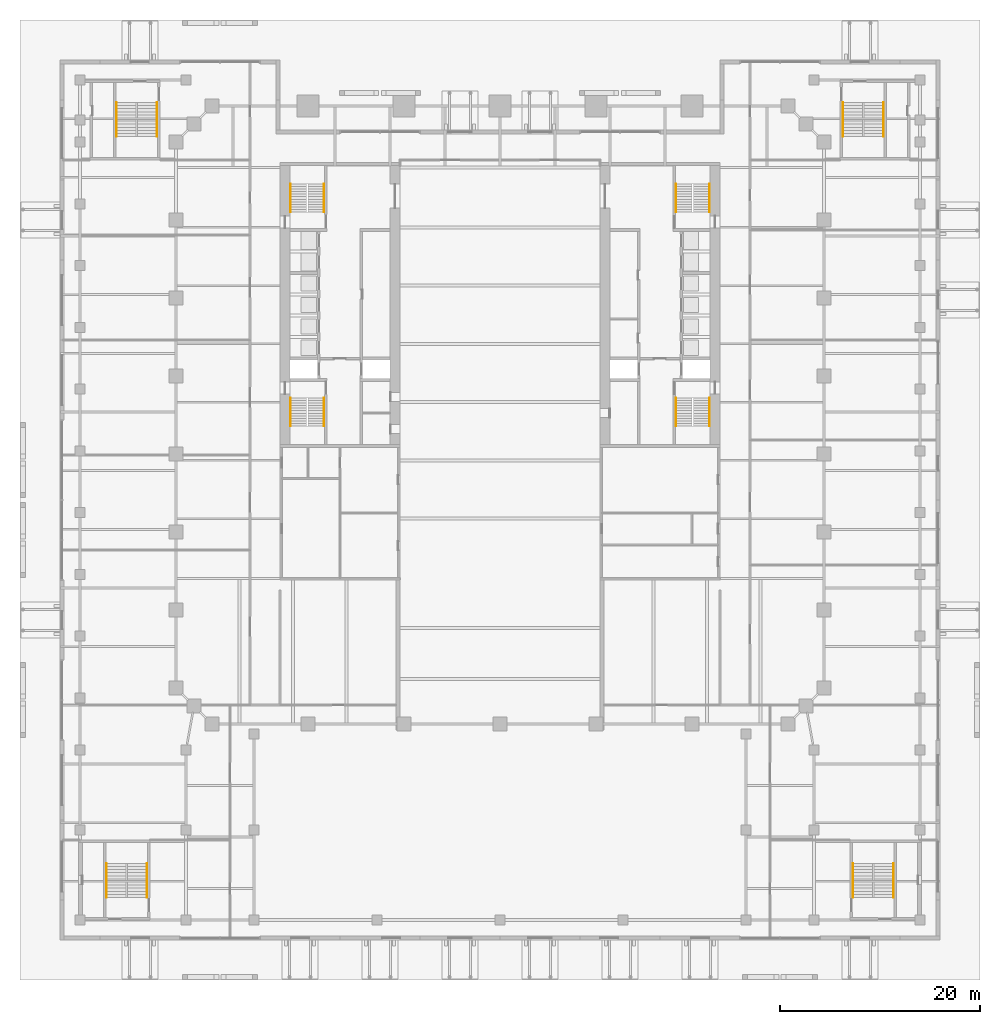
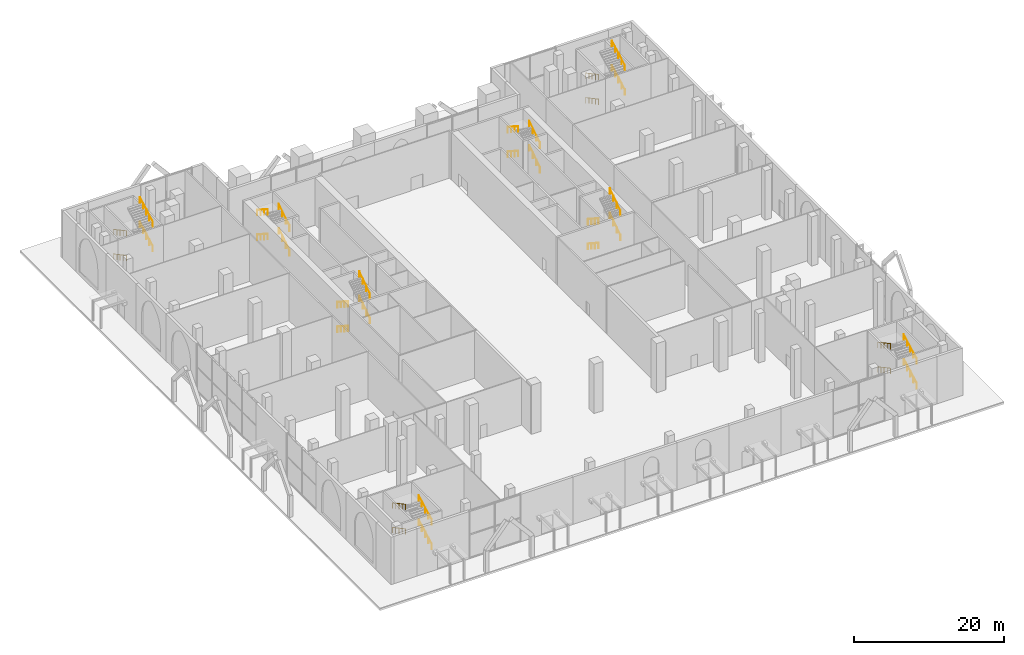
# One storey, part 37 of 38: 32 railings.
"""IFC4 building model written with IfcOpenShell, lengths in metres."""

from ifc_helpers import new_model, si_unit, direction, frame, origin, origin_2d, place, context, subcontext, project, spatial, circle, extrude, material, type_object, element, save


model = new_model("IFC4")

# Units and contexts
model_context = context("Model", 3, precision=1e-05, world=origin(), true_north=direction((0.0, 1.0)))
body_context = subcontext(model_context, "Body", "Model", "MODEL_VIEW")
ifc_project = project(units=[si_unit("LENGTHUNIT", "METRE"), si_unit("AREAUNIT", "SQUARE_METRE"), si_unit("VOLUMEUNIT", "CUBIC_METRE"), si_unit("PLANEANGLEUNIT", "RADIAN"), si_unit("MASSUNIT", "GRAM", prefix="KILO")], contexts=[model_context])

# Site, building, storey
site_placement = place(None, origin())
site = spatial("IfcSite", under=ifc_project, at=site_placement, CompositionType="ELEMENT")
building_placement = place(site_placement, origin())
building = spatial("IfcBuilding", under=site, at=building_placement, Name="Ogive Exchange Tower", CompositionType="ELEMENT")
storey_placement = place(building_placement, origin())
storey = spatial("IfcBuildingStorey", under=building, at=storey_placement, Name="L00", CompositionType="ELEMENT", Elevation=0.0)

# Railings
ifc_material = material(Name="Stainless steel", Category="steel")
railing_type = type_object("IfcRailingType", Name="Stair handrail 900", PredefinedType="HANDRAIL", material=ifc_material)
railing_1_placement = place(storey_placement, frame((-20.949951171875, 2.199951171875, 0.166748046875)))
element("IfcRailing", 1, at=railing_1_placement, inside=storey, type_object=railing_type, Name="L00 ST1 stair handrail 1", PredefinedType="HANDRAIL", context=body_context, shape_type="SweptSolid", body=[
    extrude(circle(Radius=0.02392578125, at=origin_2d()), frame((0.0, 0.0, 0.8759765625), z_axis=(0.0, -0.837070997461, 0.547094274518), x_axis=(1.0, 0.0, 0.0)), (0.0, 0.0, 1.0), 3.350830078125),
    extrude(circle(Radius=0.02099609375, at=origin_2d()), origin(), (0.0, 0.0, 1.0), 0.851806640625),
    extrude(circle(Radius=0.02099609375, at=origin_2d()), frame((0.0, -0.93505859375, 0.611083984375)), (0.0, 0.0, 1.0), 0.851806640625),
    extrude(circle(Radius=0.02099609375, at=origin_2d()), frame((0.0, -1.869873046875, 1.22216796875)), (0.0, 0.0, 1.0), 0.851806640625),
    extrude(circle(Radius=0.02099609375, at=origin_2d()), frame((0.0, -2.804931640625, 1.833251953125)), (0.0, 0.0, 1.0), 0.851806640625),
])
railing_2_placement = place(storey_placement, frame((-17.60009765625, -0.60498046875, 2.166748046875)))
element("IfcRailing", 2, at=railing_2_placement, inside=storey, type_object=railing_type, Name="L00 ST1 stair handrail 2", PredefinedType="HANDRAIL", context=body_context, shape_type="SweptSolid", body=[
    extrude(circle(Radius=0.02392578125, at=origin_2d()), frame((0.0, 0.0, 0.8759765625), z_axis=(0.0, 0.837070997461, 0.547094274518), x_axis=(-1.0, 0.0, 0.0)), (0.0, 0.0, 1.0), 3.350830078125),
    extrude(circle(Radius=0.02099609375, at=origin_2d()), origin(), (0.0, 0.0, 1.0), 0.851806640625),
    extrude(circle(Radius=0.02099609375, at=origin_2d()), frame((0.0, 0.93505859375, 0.611083984375)), (0.0, 0.0, 1.0), 0.851806640625),
    extrude(circle(Radius=0.02099609375, at=origin_2d()), frame((0.0, 1.869873046875, 1.22216796875)), (0.0, 0.0, 1.0), 0.851806640625),
    extrude(circle(Radius=0.02099609375, at=origin_2d()), frame((0.0, 2.804931640625, 1.833251953125)), (0.0, 0.0, 1.0), 0.851806640625),
])
railing_3_placement = place(storey_placement, frame((-20.949951171875, 2.199951171875, 4.166748046875)))
element("IfcRailing", 3, at=railing_3_placement, inside=storey, type_object=railing_type, Name="L00 ST1 stair handrail 3", PredefinedType="HANDRAIL", context=body_context, shape_type="SweptSolid", body=[
    extrude(circle(Radius=0.02392578125, at=origin_2d()), frame((0.0, 0.0, 0.8759765625), z_axis=(0.0, -0.837070997461, 0.547094274518), x_axis=(1.0, 0.0, 0.0)), (0.0, 0.0, 1.0), 3.350830078125),
    extrude(circle(Radius=0.02099609375, at=origin_2d()), origin(), (0.0, 0.0, 1.0), 0.851806640625),
    extrude(circle(Radius=0.02099609375, at=origin_2d()), frame((0.0, -0.93505859375, 0.611083984375)), (0.0, 0.0, 1.0), 0.851806640625),
    extrude(circle(Radius=0.02099609375, at=origin_2d()), frame((0.0, -1.869873046875, 1.22216796875)), (0.0, 0.0, 1.0), 0.851806640625),
    extrude(circle(Radius=0.02099609375, at=origin_2d()), frame((0.0, -2.804931640625, 1.833251953125)), (0.0, 0.0, 1.0), 0.851806640625),
])
for number, where, name in (
    (4, (-17.60009765625, -0.60498046875, 6.166748046875), "L00 ST1 stair handrail 4"),
    (5, (-17.60009765625, 20.800048828125, 0.166748046875), "L00 ST2 stair handrail 1"),
):
    element("IfcRailing", number, at=place(storey_placement, frame(where)), inside=storey, type_object=railing_type, Name=name, PredefinedType="HANDRAIL", context=body_context, shape_type="SweptSolid", body=[
        extrude(circle(Radius=0.02392578125, at=origin_2d()), frame((0.0, 0.0, 0.8759765625), z_axis=(0.0, 0.837070997461, 0.547094274518), x_axis=(-1.0, 0.0, 0.0)), (0.0, 0.0, 1.0), 3.350830078125),
        extrude(circle(Radius=0.02099609375, at=origin_2d()), origin(), (0.0, 0.0, 1.0), 0.851806640625),
        extrude(circle(Radius=0.02099609375, at=origin_2d()), frame((0.0, 0.93505859375, 0.611083984375)), (0.0, 0.0, 1.0), 0.851806640625),
        extrude(circle(Radius=0.02099609375, at=origin_2d()), frame((0.0, 1.869873046875, 1.22216796875)), (0.0, 0.0, 1.0), 0.851806640625),
        extrude(circle(Radius=0.02099609375, at=origin_2d()), frame((0.0, 2.804931640625, 1.833251953125)), (0.0, 0.0, 1.0), 0.851806640625),
    ])
railing_4_placement = place(storey_placement, frame((-20.949951171875, 23.60498046875, 2.166748046875)))
element("IfcRailing", 6, at=railing_4_placement, inside=storey, type_object=railing_type, Name="L00 ST2 stair handrail 2", PredefinedType="HANDRAIL", context=body_context, shape_type="SweptSolid", body=[
    extrude(circle(Radius=0.02392578125, at=origin_2d()), frame((0.0, 0.0, 0.8759765625), z_axis=(0.0, -0.837070997461, 0.547094274518), x_axis=(1.0, 0.0, 0.0)), (0.0, 0.0, 1.0), 3.350830078125),
    extrude(circle(Radius=0.02099609375, at=origin_2d()), origin(), (0.0, 0.0, 1.0), 0.851806640625),
    extrude(circle(Radius=0.02099609375, at=origin_2d()), frame((0.0, -0.93505859375, 0.611083984375)), (0.0, 0.0, 1.0), 0.851806640625),
    extrude(circle(Radius=0.02099609375, at=origin_2d()), frame((0.0, -1.869873046875, 1.22216796875)), (0.0, 0.0, 1.0), 0.851806640625),
    extrude(circle(Radius=0.02099609375, at=origin_2d()), frame((0.0, -2.804931640625, 1.833251953125)), (0.0, 0.0, 1.0), 0.851806640625),
])
railing_5_placement = place(storey_placement, frame((-17.60009765625, 20.800048828125, 4.166748046875)))
element("IfcRailing", 7, at=railing_5_placement, inside=storey, type_object=railing_type, Name="L00 ST2 stair handrail 3", PredefinedType="HANDRAIL", context=body_context, shape_type="SweptSolid", body=[
    extrude(circle(Radius=0.02392578125, at=origin_2d()), frame((0.0, 0.0, 0.8759765625), z_axis=(0.0, 0.837070997461, 0.547094274518), x_axis=(-1.0, 0.0, 0.0)), (0.0, 0.0, 1.0), 3.350830078125),
    extrude(circle(Radius=0.02099609375, at=origin_2d()), origin(), (0.0, 0.0, 1.0), 0.851806640625),
    extrude(circle(Radius=0.02099609375, at=origin_2d()), frame((0.0, 0.93505859375, 0.611083984375)), (0.0, 0.0, 1.0), 0.851806640625),
    extrude(circle(Radius=0.02099609375, at=origin_2d()), frame((0.0, 1.869873046875, 1.22216796875)), (0.0, 0.0, 1.0), 0.851806640625),
    extrude(circle(Radius=0.02099609375, at=origin_2d()), frame((0.0, 2.804931640625, 1.833251953125)), (0.0, 0.0, 1.0), 0.851806640625),
])
for number, where, name in (
    (8, (-20.949951171875, 23.60498046875, 6.166748046875), "L00 ST2 stair handrail 4"),
    (9, (17.60009765625, 2.199951171875, 0.166748046875), "L00 ST3 stair handrail 1"),
):
    element("IfcRailing", number, at=place(storey_placement, frame(where)), inside=storey, type_object=railing_type, Name=name, PredefinedType="HANDRAIL", context=body_context, shape_type="SweptSolid", body=[
        extrude(circle(Radius=0.02392578125, at=origin_2d()), frame((0.0, 0.0, 0.8759765625), z_axis=(0.0, -0.837070997461, 0.547094274518), x_axis=(1.0, 0.0, 0.0)), (0.0, 0.0, 1.0), 3.350830078125),
        extrude(circle(Radius=0.02099609375, at=origin_2d()), origin(), (0.0, 0.0, 1.0), 0.851806640625),
        extrude(circle(Radius=0.02099609375, at=origin_2d()), frame((0.0, -0.93505859375, 0.611083984375)), (0.0, 0.0, 1.0), 0.851806640625),
        extrude(circle(Radius=0.02099609375, at=origin_2d()), frame((0.0, -1.869873046875, 1.22216796875)), (0.0, 0.0, 1.0), 0.851806640625),
        extrude(circle(Radius=0.02099609375, at=origin_2d()), frame((0.0, -2.804931640625, 1.833251953125)), (0.0, 0.0, 1.0), 0.851806640625),
    ])
railing_6_placement = place(storey_placement, frame((20.949951171875, -0.60498046875, 2.166748046875)))
element("IfcRailing", 10, at=railing_6_placement, inside=storey, type_object=railing_type, Name="L00 ST3 stair handrail 2", PredefinedType="HANDRAIL", context=body_context, shape_type="SweptSolid", body=[
    extrude(circle(Radius=0.02392578125, at=origin_2d()), frame((0.0, 0.0, 0.8759765625), z_axis=(0.0, 0.837070997461, 0.547094274518), x_axis=(-1.0, 0.0, 0.0)), (0.0, 0.0, 1.0), 3.350830078125),
    extrude(circle(Radius=0.02099609375, at=origin_2d()), origin(), (0.0, 0.0, 1.0), 0.851806640625),
    extrude(circle(Radius=0.02099609375, at=origin_2d()), frame((0.0, 0.93505859375, 0.611083984375)), (0.0, 0.0, 1.0), 0.851806640625),
    extrude(circle(Radius=0.02099609375, at=origin_2d()), frame((0.0, 1.869873046875, 1.22216796875)), (0.0, 0.0, 1.0), 0.851806640625),
    extrude(circle(Radius=0.02099609375, at=origin_2d()), frame((0.0, 2.804931640625, 1.833251953125)), (0.0, 0.0, 1.0), 0.851806640625),
])
railing_7_placement = place(storey_placement, frame((17.60009765625, 2.199951171875, 4.166748046875)))
element("IfcRailing", 11, at=railing_7_placement, inside=storey, type_object=railing_type, Name="L00 ST3 stair handrail 3", PredefinedType="HANDRAIL", context=body_context, shape_type="SweptSolid", body=[
    extrude(circle(Radius=0.02392578125, at=origin_2d()), frame((0.0, 0.0, 0.8759765625), z_axis=(0.0, -0.837070997461, 0.547094274518), x_axis=(1.0, 0.0, 0.0)), (0.0, 0.0, 1.0), 3.350830078125),
    extrude(circle(Radius=0.02099609375, at=origin_2d()), origin(), (0.0, 0.0, 1.0), 0.851806640625),
    extrude(circle(Radius=0.02099609375, at=origin_2d()), frame((0.0, -0.93505859375, 0.611083984375)), (0.0, 0.0, 1.0), 0.851806640625),
    extrude(circle(Radius=0.02099609375, at=origin_2d()), frame((0.0, -1.869873046875, 1.22216796875)), (0.0, 0.0, 1.0), 0.851806640625),
    extrude(circle(Radius=0.02099609375, at=origin_2d()), frame((0.0, -2.804931640625, 1.833251953125)), (0.0, 0.0, 1.0), 0.851806640625),
])
for number, where, name in (
    (12, (20.949951171875, -0.60498046875, 6.166748046875), "L00 ST3 stair handrail 4"),
    (13, (20.949951171875, 20.800048828125, 0.166748046875), "L00 ST4 stair handrail 1"),
):
    element("IfcRailing", number, at=place(storey_placement, frame(where)), inside=storey, type_object=railing_type, Name=name, PredefinedType="HANDRAIL", context=body_context, shape_type="SweptSolid", body=[
        extrude(circle(Radius=0.02392578125, at=origin_2d()), frame((0.0, 0.0, 0.8759765625), z_axis=(0.0, 0.837070997461, 0.547094274518), x_axis=(-1.0, 0.0, 0.0)), (0.0, 0.0, 1.0), 3.350830078125),
        extrude(circle(Radius=0.02099609375, at=origin_2d()), origin(), (0.0, 0.0, 1.0), 0.851806640625),
        extrude(circle(Radius=0.02099609375, at=origin_2d()), frame((0.0, 0.93505859375, 0.611083984375)), (0.0, 0.0, 1.0), 0.851806640625),
        extrude(circle(Radius=0.02099609375, at=origin_2d()), frame((0.0, 1.869873046875, 1.22216796875)), (0.0, 0.0, 1.0), 0.851806640625),
        extrude(circle(Radius=0.02099609375, at=origin_2d()), frame((0.0, 2.804931640625, 1.833251953125)), (0.0, 0.0, 1.0), 0.851806640625),
    ])
railing_8_placement = place(storey_placement, frame((17.60009765625, 23.60498046875, 2.166748046875)))
element("IfcRailing", 14, at=railing_8_placement, inside=storey, type_object=railing_type, Name="L00 ST4 stair handrail 2", PredefinedType="HANDRAIL", context=body_context, shape_type="SweptSolid", body=[
    extrude(circle(Radius=0.02392578125, at=origin_2d()), frame((0.0, 0.0, 0.8759765625), z_axis=(0.0, -0.837070997461, 0.547094274518), x_axis=(1.0, 0.0, 0.0)), (0.0, 0.0, 1.0), 3.350830078125),
    extrude(circle(Radius=0.02099609375, at=origin_2d()), origin(), (0.0, 0.0, 1.0), 0.851806640625),
    extrude(circle(Radius=0.02099609375, at=origin_2d()), frame((0.0, -0.93505859375, 0.611083984375)), (0.0, 0.0, 1.0), 0.851806640625),
    extrude(circle(Radius=0.02099609375, at=origin_2d()), frame((0.0, -1.869873046875, 1.22216796875)), (0.0, 0.0, 1.0), 0.851806640625),
    extrude(circle(Radius=0.02099609375, at=origin_2d()), frame((0.0, -2.804931640625, 1.833251953125)), (0.0, 0.0, 1.0), 0.851806640625),
])
railing_9_placement = place(storey_placement, frame((20.949951171875, 20.800048828125, 4.166748046875)))
element("IfcRailing", 15, at=railing_9_placement, inside=storey, type_object=railing_type, Name="L00 ST4 stair handrail 3", PredefinedType="HANDRAIL", context=body_context, shape_type="SweptSolid", body=[
    extrude(circle(Radius=0.02392578125, at=origin_2d()), frame((0.0, 0.0, 0.8759765625), z_axis=(0.0, 0.837070997461, 0.547094274518), x_axis=(-1.0, 0.0, 0.0)), (0.0, 0.0, 1.0), 3.350830078125),
    extrude(circle(Radius=0.02099609375, at=origin_2d()), origin(), (0.0, 0.0, 1.0), 0.851806640625),
    extrude(circle(Radius=0.02099609375, at=origin_2d()), frame((0.0, 0.93505859375, 0.611083984375)), (0.0, 0.0, 1.0), 0.851806640625),
    extrude(circle(Radius=0.02099609375, at=origin_2d()), frame((0.0, 1.869873046875, 1.22216796875)), (0.0, 0.0, 1.0), 0.851806640625),
    extrude(circle(Radius=0.02099609375, at=origin_2d()), frame((0.0, 2.804931640625, 1.833251953125)), (0.0, 0.0, 1.0), 0.851806640625),
])
railing_10_placement = place(storey_placement, frame((17.60009765625, 23.60498046875, 6.166748046875)))
element("IfcRailing", 16, at=railing_10_placement, inside=storey, type_object=railing_type, Name="L00 ST4 stair handrail 4", PredefinedType="HANDRAIL", context=body_context, shape_type="SweptSolid", body=[
    extrude(circle(Radius=0.02392578125, at=origin_2d()), frame((0.0, 0.0, 0.8759765625), z_axis=(0.0, -0.837070997461, 0.547094274518), x_axis=(1.0, 0.0, 0.0)), (0.0, 0.0, 1.0), 3.350830078125),
    extrude(circle(Radius=0.02099609375, at=origin_2d()), origin(), (0.0, 0.0, 1.0), 0.851806640625),
    extrude(circle(Radius=0.02099609375, at=origin_2d()), frame((0.0, -0.93505859375, 0.611083984375)), (0.0, 0.0, 1.0), 0.851806640625),
    extrude(circle(Radius=0.02099609375, at=origin_2d()), frame((0.0, -1.869873046875, 1.22216796875)), (0.0, 0.0, 1.0), 0.851806640625),
    extrude(circle(Radius=0.02099609375, at=origin_2d()), frame((0.0, -2.804931640625, 1.833251953125)), (0.0, 0.0, 1.0), 0.851806640625),
])
railing_11_placement = place(storey_placement, frame((-35.300048828125, -47.75, 0.166748046875)))
element("IfcRailing", 17, at=railing_11_placement, inside=storey, type_object=railing_type, Name="L00 PS1 stair handrail 1", PredefinedType="HANDRAIL", context=body_context, shape_type="SweptSolid", body=[
    extrude(circle(Radius=0.02392578125, at=origin_2d()), frame((0.0, 0.0, 0.8759765625), z_axis=(0.0, 0.88077870034, 0.473528120631), x_axis=(-1.0, 0.0, 0.0)), (0.0, 0.0, 1.0), 3.87158203125),
    extrude(circle(Radius=0.02099609375, at=origin_2d()), origin(), (0.0, 0.0, 1.0), 0.851806640625),
    extrude(circle(Radius=0.02099609375, at=origin_2d()), frame((0.0, 0.8525390625, 0.458251953125)), (0.0, 0.0, 1.0), 0.851806640625),
    extrude(circle(Radius=0.02099609375, at=origin_2d()), frame((0.0, 1.705078125, 0.91650390625)), (0.0, 0.0, 1.0), 0.851806640625),
    extrude(circle(Radius=0.02099609375, at=origin_2d()), frame((0.0, 2.557373046875, 1.375)), (0.0, 0.0, 1.0), 0.851806640625),
    extrude(circle(Radius=0.02099609375, at=origin_2d()), frame((0.0, 3.409912109375, 1.833251953125)), (0.0, 0.0, 1.0), 0.851806640625),
])
railing_12_placement = place(storey_placement, frame((-39.35009765625, -44.340087890625, 2.166748046875)))
element("IfcRailing", 18, at=railing_12_placement, inside=storey, type_object=railing_type, Name="L00 PS1 stair handrail 2", PredefinedType="HANDRAIL", context=body_context, shape_type="SweptSolid", body=[
    extrude(circle(Radius=0.02392578125, at=origin_2d()), frame((0.0, 0.0, 0.8759765625), z_axis=(0.0, -0.88077870034, 0.473528120631), x_axis=(1.0, 0.0, 0.0)), (0.0, 0.0, 1.0), 3.87158203125),
    extrude(circle(Radius=0.02099609375, at=origin_2d()), origin(), (0.0, 0.0, 1.0), 0.851806640625),
    extrude(circle(Radius=0.02099609375, at=origin_2d()), frame((0.0, -0.8525390625, 0.458251953125)), (0.0, 0.0, 1.0), 0.851806640625),
    extrude(circle(Radius=0.02099609375, at=origin_2d()), frame((0.0, -1.705078125, 0.91650390625)), (0.0, 0.0, 1.0), 0.851806640625),
    extrude(circle(Radius=0.02099609375, at=origin_2d()), frame((0.0, -2.557373046875, 1.375)), (0.0, 0.0, 1.0), 0.851806640625),
    extrude(circle(Radius=0.02099609375, at=origin_2d()), frame((0.0, -3.409912109375, 1.833251953125)), (0.0, 0.0, 1.0), 0.851806640625),
])
railing_13_placement = place(storey_placement, frame((-35.300048828125, -47.75, 4.166748046875)))
element("IfcRailing", 19, at=railing_13_placement, inside=storey, type_object=railing_type, Name="L00 PS1 stair handrail 3", PredefinedType="HANDRAIL", context=body_context, shape_type="SweptSolid", body=[
    extrude(circle(Radius=0.02392578125, at=origin_2d()), frame((0.0, 0.0, 0.8759765625), z_axis=(0.0, 0.88077870034, 0.473528120631), x_axis=(-1.0, 0.0, 0.0)), (0.0, 0.0, 1.0), 3.87158203125),
    extrude(circle(Radius=0.02099609375, at=origin_2d()), origin(), (0.0, 0.0, 1.0), 0.851806640625),
    extrude(circle(Radius=0.02099609375, at=origin_2d()), frame((0.0, 0.8525390625, 0.458251953125)), (0.0, 0.0, 1.0), 0.851806640625),
    extrude(circle(Radius=0.02099609375, at=origin_2d()), frame((0.0, 1.705078125, 0.91650390625)), (0.0, 0.0, 1.0), 0.851806640625),
    extrude(circle(Radius=0.02099609375, at=origin_2d()), frame((0.0, 2.557373046875, 1.375)), (0.0, 0.0, 1.0), 0.851806640625),
    extrude(circle(Radius=0.02099609375, at=origin_2d()), frame((0.0, 3.409912109375, 1.833251953125)), (0.0, 0.0, 1.0), 0.851806640625),
])
railing_14_placement = place(storey_placement, frame((-39.35009765625, -44.340087890625, 6.166748046875)))
element("IfcRailing", 20, at=railing_14_placement, inside=storey, type_object=railing_type, Name="L00 PS1 stair handrail 4", PredefinedType="HANDRAIL", context=body_context, shape_type="SweptSolid", body=[
    extrude(circle(Radius=0.02392578125, at=origin_2d()), frame((0.0, 0.0, 0.8759765625), z_axis=(0.0, -0.88077870034, 0.473528120631), x_axis=(1.0, 0.0, 0.0)), (0.0, 0.0, 1.0), 3.87158203125),
    extrude(circle(Radius=0.02099609375, at=origin_2d()), origin(), (0.0, 0.0, 1.0), 0.851806640625),
    extrude(circle(Radius=0.02099609375, at=origin_2d()), frame((0.0, -0.8525390625, 0.458251953125)), (0.0, 0.0, 1.0), 0.851806640625),
    extrude(circle(Radius=0.02099609375, at=origin_2d()), frame((0.0, -1.705078125, 0.91650390625)), (0.0, 0.0, 1.0), 0.851806640625),
    extrude(circle(Radius=0.02099609375, at=origin_2d()), frame((0.0, -2.557373046875, 1.375)), (0.0, 0.0, 1.0), 0.851806640625),
    extrude(circle(Radius=0.02099609375, at=origin_2d()), frame((0.0, -3.409912109375, 1.833251953125)), (0.0, 0.0, 1.0), 0.851806640625),
])
railing_15_placement = place(storey_placement, frame((39.35009765625, -47.75, 0.166748046875)))
element("IfcRailing", 21, at=railing_15_placement, inside=storey, type_object=railing_type, Name="L00 PS2 stair handrail 1", PredefinedType="HANDRAIL", context=body_context, shape_type="SweptSolid", body=[
    extrude(circle(Radius=0.02392578125, at=origin_2d()), frame((0.0, 0.0, 0.8759765625), z_axis=(0.0, 0.88077870034, 0.473528120631), x_axis=(-1.0, 0.0, 0.0)), (0.0, 0.0, 1.0), 3.87158203125),
    extrude(circle(Radius=0.02099609375, at=origin_2d()), origin(), (0.0, 0.0, 1.0), 0.851806640625),
    extrude(circle(Radius=0.02099609375, at=origin_2d()), frame((0.0, 0.8525390625, 0.458251953125)), (0.0, 0.0, 1.0), 0.851806640625),
    extrude(circle(Radius=0.02099609375, at=origin_2d()), frame((0.0, 1.705078125, 0.91650390625)), (0.0, 0.0, 1.0), 0.851806640625),
    extrude(circle(Radius=0.02099609375, at=origin_2d()), frame((0.0, 2.557373046875, 1.375)), (0.0, 0.0, 1.0), 0.851806640625),
    extrude(circle(Radius=0.02099609375, at=origin_2d()), frame((0.0, 3.409912109375, 1.833251953125)), (0.0, 0.0, 1.0), 0.851806640625),
])
railing_16_placement = place(storey_placement, frame((35.300048828125, -44.340087890625, 2.166748046875)))
element("IfcRailing", 22, at=railing_16_placement, inside=storey, type_object=railing_type, Name="L00 PS2 stair handrail 2", PredefinedType="HANDRAIL", context=body_context, shape_type="SweptSolid", body=[
    extrude(circle(Radius=0.02392578125, at=origin_2d()), frame((0.0, 0.0, 0.8759765625), z_axis=(0.0, -0.88077870034, 0.473528120631), x_axis=(1.0, 0.0, 0.0)), (0.0, 0.0, 1.0), 3.87158203125),
    extrude(circle(Radius=0.02099609375, at=origin_2d()), origin(), (0.0, 0.0, 1.0), 0.851806640625),
    extrude(circle(Radius=0.02099609375, at=origin_2d()), frame((0.0, -0.8525390625, 0.458251953125)), (0.0, 0.0, 1.0), 0.851806640625),
    extrude(circle(Radius=0.02099609375, at=origin_2d()), frame((0.0, -1.705078125, 0.91650390625)), (0.0, 0.0, 1.0), 0.851806640625),
    extrude(circle(Radius=0.02099609375, at=origin_2d()), frame((0.0, -2.557373046875, 1.375)), (0.0, 0.0, 1.0), 0.851806640625),
    extrude(circle(Radius=0.02099609375, at=origin_2d()), frame((0.0, -3.409912109375, 1.833251953125)), (0.0, 0.0, 1.0), 0.851806640625),
])
railing_17_placement = place(storey_placement, frame((39.35009765625, -47.75, 4.166748046875)))
element("IfcRailing", 23, at=railing_17_placement, inside=storey, type_object=railing_type, Name="L00 PS2 stair handrail 3", PredefinedType="HANDRAIL", context=body_context, shape_type="SweptSolid", body=[
    extrude(circle(Radius=0.02392578125, at=origin_2d()), frame((0.0, 0.0, 0.8759765625), z_axis=(0.0, 0.88077870034, 0.473528120631), x_axis=(-1.0, 0.0, 0.0)), (0.0, 0.0, 1.0), 3.87158203125),
    extrude(circle(Radius=0.02099609375, at=origin_2d()), origin(), (0.0, 0.0, 1.0), 0.851806640625),
    extrude(circle(Radius=0.02099609375, at=origin_2d()), frame((0.0, 0.8525390625, 0.458251953125)), (0.0, 0.0, 1.0), 0.851806640625),
    extrude(circle(Radius=0.02099609375, at=origin_2d()), frame((0.0, 1.705078125, 0.91650390625)), (0.0, 0.0, 1.0), 0.851806640625),
    extrude(circle(Radius=0.02099609375, at=origin_2d()), frame((0.0, 2.557373046875, 1.375)), (0.0, 0.0, 1.0), 0.851806640625),
    extrude(circle(Radius=0.02099609375, at=origin_2d()), frame((0.0, 3.409912109375, 1.833251953125)), (0.0, 0.0, 1.0), 0.851806640625),
])
for number, where, name in (
    (24, (35.300048828125, -44.340087890625, 6.166748046875), "L00 PS2 stair handrail 4"),
    (25, (-38.35009765625, 31.75, 0.166748046875), "L00 PS3 stair handrail 1"),
):
    element("IfcRailing", number, at=place(storey_placement, frame(where)), inside=storey, type_object=railing_type, Name=name, PredefinedType="HANDRAIL", context=body_context, shape_type="SweptSolid", body=[
        extrude(circle(Radius=0.02392578125, at=origin_2d()), frame((0.0, 0.0, 0.8759765625), z_axis=(0.0, -0.88077870034, 0.473528120631), x_axis=(1.0, 0.0, 0.0)), (0.0, 0.0, 1.0), 3.87158203125),
        extrude(circle(Radius=0.02099609375, at=origin_2d()), origin(), (0.0, 0.0, 1.0), 0.851806640625),
        extrude(circle(Radius=0.02099609375, at=origin_2d()), frame((0.0, -0.8525390625, 0.458251953125)), (0.0, 0.0, 1.0), 0.851806640625),
        extrude(circle(Radius=0.02099609375, at=origin_2d()), frame((0.0, -1.705078125, 0.91650390625)), (0.0, 0.0, 1.0), 0.851806640625),
        extrude(circle(Radius=0.02099609375, at=origin_2d()), frame((0.0, -2.557373046875, 1.375)), (0.0, 0.0, 1.0), 0.851806640625),
        extrude(circle(Radius=0.02099609375, at=origin_2d()), frame((0.0, -3.409912109375, 1.833251953125)), (0.0, 0.0, 1.0), 0.851806640625),
    ])
railing_18_placement = place(storey_placement, frame((-34.300048828125, 28.340087890625, 2.166748046875)))
element("IfcRailing", 26, at=railing_18_placement, inside=storey, type_object=railing_type, Name="L00 PS3 stair handrail 2", PredefinedType="HANDRAIL", context=body_context, shape_type="SweptSolid", body=[
    extrude(circle(Radius=0.02392578125, at=origin_2d()), frame((0.0, 0.0, 0.8759765625), z_axis=(0.0, 0.88077870034, 0.473528120631), x_axis=(-1.0, 0.0, 0.0)), (0.0, 0.0, 1.0), 3.87158203125),
    extrude(circle(Radius=0.02099609375, at=origin_2d()), origin(), (0.0, 0.0, 1.0), 0.851806640625),
    extrude(circle(Radius=0.02099609375, at=origin_2d()), frame((0.0, 0.8525390625, 0.458251953125)), (0.0, 0.0, 1.0), 0.851806640625),
    extrude(circle(Radius=0.02099609375, at=origin_2d()), frame((0.0, 1.705078125, 0.91650390625)), (0.0, 0.0, 1.0), 0.851806640625),
    extrude(circle(Radius=0.02099609375, at=origin_2d()), frame((0.0, 2.557373046875, 1.375)), (0.0, 0.0, 1.0), 0.851806640625),
    extrude(circle(Radius=0.02099609375, at=origin_2d()), frame((0.0, 3.409912109375, 1.833251953125)), (0.0, 0.0, 1.0), 0.851806640625),
])
railing_19_placement = place(storey_placement, frame((-38.35009765625, 31.75, 4.166748046875)))
element("IfcRailing", 27, at=railing_19_placement, inside=storey, type_object=railing_type, Name="L00 PS3 stair handrail 3", PredefinedType="HANDRAIL", context=body_context, shape_type="SweptSolid", body=[
    extrude(circle(Radius=0.02392578125, at=origin_2d()), frame((0.0, 0.0, 0.8759765625), z_axis=(0.0, -0.88077870034, 0.473528120631), x_axis=(1.0, 0.0, 0.0)), (0.0, 0.0, 1.0), 3.87158203125),
    extrude(circle(Radius=0.02099609375, at=origin_2d()), origin(), (0.0, 0.0, 1.0), 0.851806640625),
    extrude(circle(Radius=0.02099609375, at=origin_2d()), frame((0.0, -0.8525390625, 0.458251953125)), (0.0, 0.0, 1.0), 0.851806640625),
    extrude(circle(Radius=0.02099609375, at=origin_2d()), frame((0.0, -1.705078125, 0.91650390625)), (0.0, 0.0, 1.0), 0.851806640625),
    extrude(circle(Radius=0.02099609375, at=origin_2d()), frame((0.0, -2.557373046875, 1.375)), (0.0, 0.0, 1.0), 0.851806640625),
    extrude(circle(Radius=0.02099609375, at=origin_2d()), frame((0.0, -3.409912109375, 1.833251953125)), (0.0, 0.0, 1.0), 0.851806640625),
])
railing_20_placement = place(storey_placement, frame((-34.300048828125, 28.340087890625, 6.166748046875)))
element("IfcRailing", 28, at=railing_20_placement, inside=storey, type_object=railing_type, Name="L00 PS3 stair handrail 4", PredefinedType="HANDRAIL", context=body_context, shape_type="SweptSolid", body=[
    extrude(circle(Radius=0.02392578125, at=origin_2d()), frame((0.0, 0.0, 0.8759765625), z_axis=(0.0, 0.88077870034, 0.473528120631), x_axis=(-1.0, 0.0, 0.0)), (0.0, 0.0, 1.0), 3.87158203125),
    extrude(circle(Radius=0.02099609375, at=origin_2d()), origin(), (0.0, 0.0, 1.0), 0.851806640625),
    extrude(circle(Radius=0.02099609375, at=origin_2d()), frame((0.0, 0.8525390625, 0.458251953125)), (0.0, 0.0, 1.0), 0.851806640625),
    extrude(circle(Radius=0.02099609375, at=origin_2d()), frame((0.0, 1.705078125, 0.91650390625)), (0.0, 0.0, 1.0), 0.851806640625),
    extrude(circle(Radius=0.02099609375, at=origin_2d()), frame((0.0, 2.557373046875, 1.375)), (0.0, 0.0, 1.0), 0.851806640625),
    extrude(circle(Radius=0.02099609375, at=origin_2d()), frame((0.0, 3.409912109375, 1.833251953125)), (0.0, 0.0, 1.0), 0.851806640625),
])
railing_21_placement = place(storey_placement, frame((34.300048828125, 31.75, 0.166748046875)))
element("IfcRailing", 29, at=railing_21_placement, inside=storey, type_object=railing_type, Name="L00 PS4 stair handrail 1", PredefinedType="HANDRAIL", context=body_context, shape_type="SweptSolid", body=[
    extrude(circle(Radius=0.02392578125, at=origin_2d()), frame((0.0, 0.0, 0.8759765625), z_axis=(0.0, -0.88077870034, 0.473528120631), x_axis=(1.0, 0.0, 0.0)), (0.0, 0.0, 1.0), 3.87158203125),
    extrude(circle(Radius=0.02099609375, at=origin_2d()), origin(), (0.0, 0.0, 1.0), 0.851806640625),
    extrude(circle(Radius=0.02099609375, at=origin_2d()), frame((0.0, -0.8525390625, 0.458251953125)), (0.0, 0.0, 1.0), 0.851806640625),
    extrude(circle(Radius=0.02099609375, at=origin_2d()), frame((0.0, -1.705078125, 0.91650390625)), (0.0, 0.0, 1.0), 0.851806640625),
    extrude(circle(Radius=0.02099609375, at=origin_2d()), frame((0.0, -2.557373046875, 1.375)), (0.0, 0.0, 1.0), 0.851806640625),
    extrude(circle(Radius=0.02099609375, at=origin_2d()), frame((0.0, -3.409912109375, 1.833251953125)), (0.0, 0.0, 1.0), 0.851806640625),
])
railing_22_placement = place(storey_placement, frame((38.35009765625, 28.340087890625, 2.166748046875)))
element("IfcRailing", 30, at=railing_22_placement, inside=storey, type_object=railing_type, Name="L00 PS4 stair handrail 2", PredefinedType="HANDRAIL", context=body_context, shape_type="SweptSolid", body=[
    extrude(circle(Radius=0.02392578125, at=origin_2d()), frame((0.0, 0.0, 0.8759765625), z_axis=(0.0, 0.88077870034, 0.473528120631), x_axis=(-1.0, 0.0, 0.0)), (0.0, 0.0, 1.0), 3.87158203125),
    extrude(circle(Radius=0.02099609375, at=origin_2d()), origin(), (0.0, 0.0, 1.0), 0.851806640625),
    extrude(circle(Radius=0.02099609375, at=origin_2d()), frame((0.0, 0.8525390625, 0.458251953125)), (0.0, 0.0, 1.0), 0.851806640625),
    extrude(circle(Radius=0.02099609375, at=origin_2d()), frame((0.0, 1.705078125, 0.91650390625)), (0.0, 0.0, 1.0), 0.851806640625),
    extrude(circle(Radius=0.02099609375, at=origin_2d()), frame((0.0, 2.557373046875, 1.375)), (0.0, 0.0, 1.0), 0.851806640625),
    extrude(circle(Radius=0.02099609375, at=origin_2d()), frame((0.0, 3.409912109375, 1.833251953125)), (0.0, 0.0, 1.0), 0.851806640625),
])
railing_23_placement = place(storey_placement, frame((34.300048828125, 31.75, 4.166748046875)))
element("IfcRailing", 31, at=railing_23_placement, inside=storey, type_object=railing_type, Name="L00 PS4 stair handrail 3", PredefinedType="HANDRAIL", context=body_context, shape_type="SweptSolid", body=[
    extrude(circle(Radius=0.02392578125, at=origin_2d()), frame((0.0, 0.0, 0.8759765625), z_axis=(0.0, -0.88077870034, 0.473528120631), x_axis=(1.0, 0.0, 0.0)), (0.0, 0.0, 1.0), 3.87158203125),
    extrude(circle(Radius=0.02099609375, at=origin_2d()), origin(), (0.0, 0.0, 1.0), 0.851806640625),
    extrude(circle(Radius=0.02099609375, at=origin_2d()), frame((0.0, -0.8525390625, 0.458251953125)), (0.0, 0.0, 1.0), 0.851806640625),
    extrude(circle(Radius=0.02099609375, at=origin_2d()), frame((0.0, -1.705078125, 0.91650390625)), (0.0, 0.0, 1.0), 0.851806640625),
    extrude(circle(Radius=0.02099609375, at=origin_2d()), frame((0.0, -2.557373046875, 1.375)), (0.0, 0.0, 1.0), 0.851806640625),
    extrude(circle(Radius=0.02099609375, at=origin_2d()), frame((0.0, -3.409912109375, 1.833251953125)), (0.0, 0.0, 1.0), 0.851806640625),
])
railing_24_placement = place(storey_placement, frame((38.35009765625, 28.340087890625, 6.166748046875)))
element("IfcRailing", 32, at=railing_24_placement, inside=storey, type_object=railing_type, Name="L00 PS4 stair handrail 4", PredefinedType="HANDRAIL", context=body_context, shape_type="SweptSolid", body=[
    extrude(circle(Radius=0.02392578125, at=origin_2d()), frame((0.0, 0.0, 0.8759765625), z_axis=(0.0, 0.88077870034, 0.473528120631), x_axis=(-1.0, 0.0, 0.0)), (0.0, 0.0, 1.0), 3.87158203125),
    extrude(circle(Radius=0.02099609375, at=origin_2d()), origin(), (0.0, 0.0, 1.0), 0.851806640625),
    extrude(circle(Radius=0.02099609375, at=origin_2d()), frame((0.0, 0.8525390625, 0.458251953125)), (0.0, 0.0, 1.0), 0.851806640625),
    extrude(circle(Radius=0.02099609375, at=origin_2d()), frame((0.0, 1.705078125, 0.91650390625)), (0.0, 0.0, 1.0), 0.851806640625),
    extrude(circle(Radius=0.02099609375, at=origin_2d()), frame((0.0, 2.557373046875, 1.375)), (0.0, 0.0, 1.0), 0.851806640625),
    extrude(circle(Radius=0.02099609375, at=origin_2d()), frame((0.0, 3.409912109375, 1.833251953125)), (0.0, 0.0, 1.0), 0.851806640625),
])

save(model, "model.ifc")
